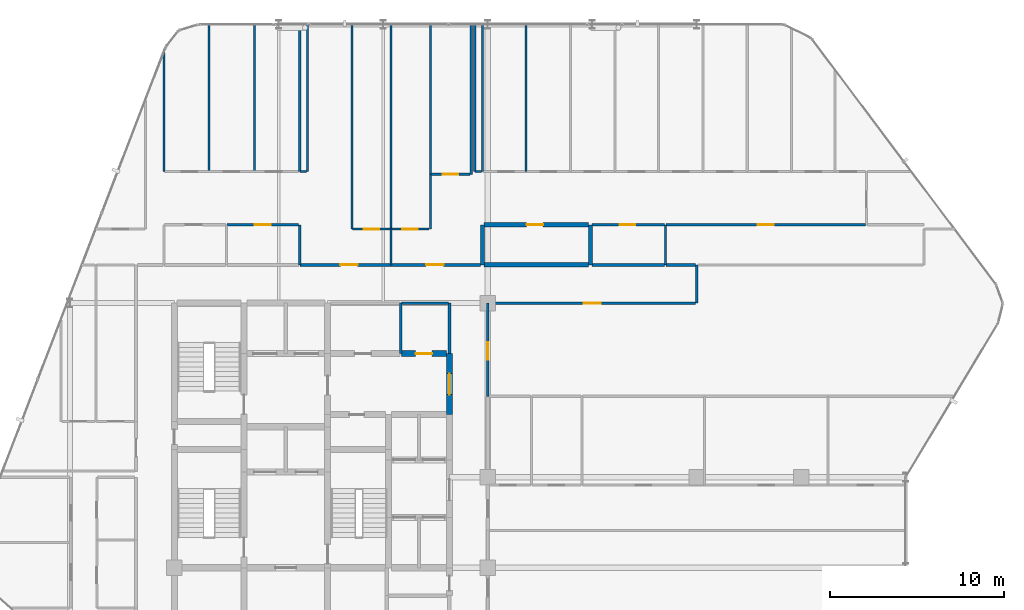
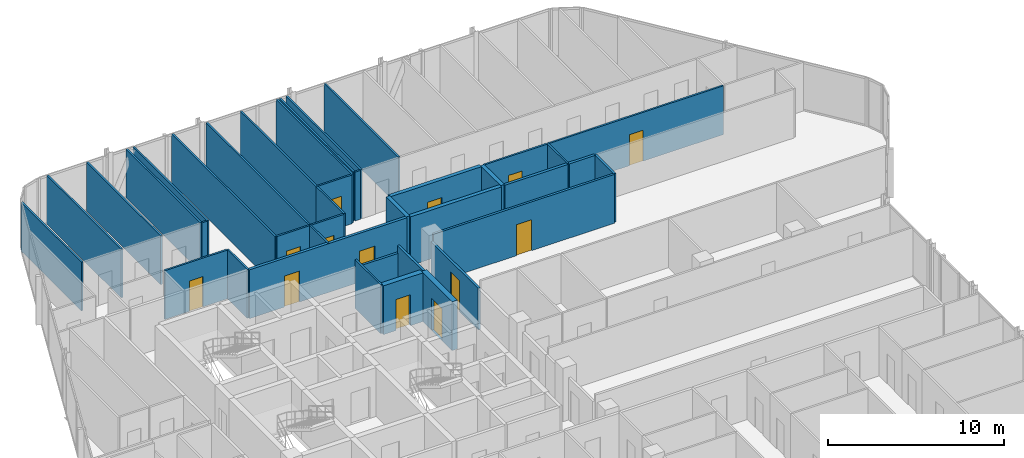
# One storey, part 29 of 31: 38 walls, 13 doors, 13 openings.
"""IFC4 building model written with IfcOpenShell, lengths in metres."""

from ifc_helpers import new_model, si_unit, direction, frame, frame_2d, origin, place, context, subcontext, project, spatial, rectangle, extrude, material, layer, layer_set, type_object, element, fill, save


model = new_model("IFC4")

# Units and contexts
model_context = context("Model", 3, precision=1e-05, world=origin(), true_north=direction((0.0, 1.0)))
body_context = subcontext(model_context, "Body", "Model", "MODEL_VIEW")
ifc_project = project(units=[si_unit("LENGTHUNIT", "METRE"), si_unit("AREAUNIT", "SQUARE_METRE"), si_unit("VOLUMEUNIT", "CUBIC_METRE"), si_unit("PLANEANGLEUNIT", "RADIAN"), si_unit("MASSUNIT", "GRAM", prefix="KILO")], contexts=[model_context])

# Site, building, storey
site_placement = place(None, origin())
site = spatial("IfcSite", under=ifc_project, at=site_placement, CompositionType="ELEMENT")
building_placement = place(site_placement, origin())
building = spatial("IfcBuilding", under=site, at=building_placement, Name="Keshet Zoharim Tower", CompositionType="ELEMENT")
storey_placement = place(building_placement, frame((0.0, 0.0, 148.300048828125)))
storey = spatial("IfcBuildingStorey", under=building, at=storey_placement, Name="L36", CompositionType="ELEMENT", Elevation=148.300048828125)

# Wall
ifc_material_1 = material(Name="Gypsum Plasterboard", Category="gypsum")
ifc_layer_1 = layer(ifc_material_1, 0.14990234375)
ifc_layer_set_1 = layer_set([ifc_layer_1], Name="Gypsum Plasterboard")
wall_type_1 = type_object("IfcWallType", Name="WL-CLIN-150", PredefinedType="STANDARD", material=ifc_layer_set_1)
wall_1_placement = place(storey_placement, frame((30.800048828125, 35.0, 0.0), z_axis=(0.0, 0.0, 1.0), x_axis=(0.0, 1.0, 0.0)))
element("IfcWall", 1, at=wall_1_placement, inside=storey, type_object=wall_type_1, Name="L36 Interior Wall 065", PredefinedType="STANDARD", context=body_context, shape_type="SweptSolid", body=[
    extrude(rectangle(XDim=2.89990234375, YDim=0.14990234375, at=frame_2d((1.449951171875, 0.0))), origin(), (0.0, 0.0, 1.0), 3.385009765625),
])

# Wall, opening, door
wall_2_placement = place(storey_placement, frame((33.0, 32.5400390625, 0.0), z_axis=(0.0, 0.0, 1.0), x_axis=(0.0, 1.0, 0.0)))
wall_2 = element("IfcWall", 2, at=wall_2_placement, inside=storey, type_object=wall_type_1, Name="L36 Interior Wall 073", PredefinedType="STANDARD", context=body_context, shape_type="SweptSolid", body=[
    extrude(rectangle(XDim=5.35986328125, YDim=0.14990234375, at=frame_2d((2.679931640625, 0.0))), origin(), (0.0, 0.0, 1.0), 2.885009765625),
])
opening_1_placement = place(wall_2_placement, frame((2.10888671875, 0.0, 0.0)))
opening_1 = element("IfcOpeningElement", 3, at=opening_1_placement, cuts=wall_2, Name="Opening D-F310", PredefinedType="OPENING", context=body_context, shape_type="SweptSolid", body=[
    extrude(rectangle(XDim=1.0, YDim=2.14990234375, at=frame_2d((0.5, 1.074951171875))), frame((0.0, 0.0849609375, 0.0), z_axis=(0.0, -1.0, 0.0), x_axis=(1.0, 0.0, 0.0)), (0.0, 0.0, 1.0), 0.169921875),
])
ifc_material_2 = material(Name="Hardwood Timber", Category="wood")
door_type_1 = type_object("IfcDoorType", Name="DR-FD30-100", OperationType="NOTDEFINED", PredefinedType="DOOR", material=ifc_material_2)
door_1_placement = place(opening_1_placement, origin())
door_1 = element("IfcDoor", 4, at=door_1_placement, inside=storey, type_object=door_type_1, Name="L36 North East Residents Services Suite Door 2", OperationType="SINGLE_SWING_RIGHT", OverallHeight=2.14990234375, OverallWidth=1.0, PredefinedType="DOOR", context=body_context, shape_type="SweptSolid", body=[
    extrude(rectangle(XDim=1.0, YDim=2.14990234375, at=frame_2d((0.5, 1.074951171875))), frame((0.0, 0.02490234375, 0.0), z_axis=(0.0, -1.0, 0.0), x_axis=(1.0, 0.0, 0.0)), (0.0, 0.0, 1.0), 0.050048828125),
])
fill(opening_1, door_1)

# Walls
wall_3_placement = place(storey_placement, frame((45.0, 37.89990234375, 0.0), z_axis=(0.0, 0.0, 1.0), x_axis=(0.0, 1.0, 0.0)))
element("IfcWall", 5, at=wall_3_placement, inside=storey, type_object=wall_type_1, Name="L36 Interior Wall 091", PredefinedType="STANDARD", context=body_context, shape_type="SweptSolid", body=[
    extrude(rectangle(XDim=2.2001953125, YDim=0.14990234375, at=frame_2d((1.10009765625, 0.0))), origin(), (0.0, 0.0, 1.0), 3.385009765625),
])
wall_4_placement = place(storey_placement, frame((28.044921875, 37.89990234375, 0.0), z_axis=(0.0, 0.0, 1.0), x_axis=(1.0, 0.0, 0.0)))
element("IfcWall", 6, at=wall_4_placement, inside=storey, type_object=wall_type_1, Name="L36 Interior Wall 175", PredefinedType="STANDARD", context=body_context, shape_type="SweptSolid", body=[
    extrude(rectangle(XDim=2.695068359375, YDim=0.14990234375, at=frame_2d((1.34765625, 0.0))), origin(), (0.0, 0.0, 1.0), 2.885009765625),
])

# Wall, opening, door
wall_5_placement = place(storey_placement, frame((33.06005859375, 37.89990234375, 0.0), z_axis=(0.0, 0.0, 1.0), x_axis=(1.0, 0.0, 0.0)))
wall_5 = element("IfcWall", 7, at=wall_5_placement, inside=storey, type_object=wall_type_1, Name="L36 Interior Wall 176", PredefinedType="STANDARD", context=body_context, shape_type="SweptSolid", body=[
    extrude(rectangle(XDim=11.87890625, YDim=0.14990234375, at=frame_2d((5.939453125, 0.0))), origin(), (0.0, 0.0, 1.0), 3.385009765625),
])
opening_2_placement = place(wall_5_placement, frame((5.43896484375, 0.0, 0.0)))
opening_2 = element("IfcOpeningElement", 8, at=opening_2_placement, cuts=wall_5, Name="Opening D-F310", PredefinedType="OPENING", context=body_context, shape_type="SweptSolid", body=[
    extrude(rectangle(XDim=1.0, YDim=2.14990234375, at=frame_2d((0.5, 1.074951171875))), frame((0.0, 0.0849609375, 0.0), z_axis=(0.0, -1.0, 0.0), x_axis=(1.0, 0.0, 0.0)), (0.0, 0.0, 1.0), 0.169921875),
])
door_2_placement = place(opening_2_placement, origin())
door_2 = element("IfcDoor", 9, at=door_2_placement, inside=storey, type_object=door_type_1, Name="L36 North East Residents Services Suite Door 1", OperationType="SINGLE_SWING_LEFT", OverallHeight=2.14990234375, OverallWidth=1.0, PredefinedType="DOOR", context=body_context, shape_type="SweptSolid", body=[
    extrude(rectangle(XDim=1.0, YDim=2.14990234375, at=frame_2d((0.5, 1.074951171875))), frame((0.0, 0.02490234375, 0.0), z_axis=(0.0, -1.0, 0.0), x_axis=(1.0, 0.0, 0.0)), (0.0, 0.0, 1.0), 0.050048828125),
])
fill(opening_2, door_2)

ifc_material_3 = material(Name="Concrete C60/75", Category="concrete")
ifc_layer_2 = layer(ifc_material_3, 0.35009765625)
ifc_layer_set_2 = layer_set([ifc_layer_2], Name="Concrete C60/75")
wall_type_2 = type_object("IfcWallType", Name="WL-CORE-350", PredefinedType="SHEAR", material=ifc_layer_set_2)
wall_6_placement = place(storey_placement, frame((30.800048828125, 31.5, 0.0), z_axis=(0.0, 0.0, 1.0), x_axis=(0.0, 1.0, 0.0)))
wall_6 = element("IfcWall", 10, at=wall_6_placement, inside=storey, type_object=wall_type_2, Name="L36 Core Shear Wall 064", PredefinedType="SHEAR", context=body_context, shape_type="SweptSolid", body=[
    extrude(rectangle(XDim=3.5, YDim=0.35009765625, at=frame_2d((1.75, 0.0))), origin(), (0.0, 0.0, 1.0), 3.385009765625),
])
opening_3_placement = place(wall_6_placement, frame((1.14990234375, 0.0, 0.0)))
opening_3 = element("IfcOpeningElement", 11, at=opening_3_placement, cuts=wall_6, Name="Opening D-F612", PredefinedType="OPENING", context=body_context, shape_type="SweptSolid", body=[
    extrude(rectangle(XDim=1.199951171875, YDim=2.199951171875, at=frame_2d((0.60009765625, 1.10009765625))), frame((0.0, 0.18505859375, 0.0), z_axis=(0.0, -1.0, 0.0), x_axis=(1.0, 0.0, 0.0)), (0.0, 0.0, 1.0), 0.3701171875),
])
door_type_2 = type_object("IfcDoorType", Name="DR-FD60-120", OperationType="NOTDEFINED", PredefinedType="DOOR", material=ifc_material_2)
door_3_placement = place(opening_3_placement, origin())
door_3 = element("IfcDoor", 12, at=door_3_placement, inside=storey, type_object=door_type_2, Name="L36 North Lift Lobby East Fire Door", OperationType="SINGLE_SWING_LEFT", OverallHeight=2.199951171875, OverallWidth=1.199951171875, PredefinedType="DOOR", context=body_context, shape_type="SweptSolid", body=[
    extrude(rectangle(XDim=1.199951171875, YDim=2.199951171875, at=frame_2d((0.60009765625, 1.10009765625))), frame((0.0, 0.02490234375, 0.0), z_axis=(0.0, -1.0, 0.0), x_axis=(1.0, 0.0, 0.0)), (0.0, 0.0, 1.0), 0.050048828125),
])
fill(opening_3, door_3)

wall_7_placement = place(storey_placement, frame((28.044921875, 35.0, 0.0), z_axis=(0.0, 0.0, 1.0), x_axis=(1.0, 0.0, 0.0)))
wall_7 = element("IfcWall", 13, at=wall_7_placement, inside=storey, type_object=wall_type_2, Name="L36 Core Shear Wall 171", PredefinedType="SHEAR", context=body_context, shape_type="SweptSolid", body=[
    extrude(rectangle(XDim=2.594970703125, YDim=0.35009765625, at=frame_2d((1.29736328125, 0.0))), origin(), (0.0, 0.0, 1.0), 3.385009765625),
])
opening_4_placement = place(wall_7_placement, frame((0.805908203125, 0.0, 0.0)))
opening_4 = element("IfcOpeningElement", 14, at=opening_4_placement, cuts=wall_7, Name="Opening D-F695", PredefinedType="OPENING", context=body_context, shape_type="SweptSolid", body=[
    extrude(rectangle(XDim=0.949951171875, YDim=2.14990234375, at=frame_2d((0.47509765625, 1.074951171875))), frame((0.0, 0.18505859375, 0.0), z_axis=(0.0, -1.0, 0.0), x_axis=(1.0, 0.0, 0.0)), (0.0, 0.0, 1.0), 0.3701171875),
])
door_type_3 = type_object("IfcDoorType", Name="DR-FD60-095", OperationType="NOTDEFINED", PredefinedType="DOOR", material=ifc_material_2)
door_4_placement = place(opening_4_placement, frame((0.949951171875, 0.0, 0.0), z_axis=(0.0, 0.0, 1.0), x_axis=(-1.0, 0.0, 0.0)))
door_4 = element("IfcDoor", 15, at=door_4_placement, inside=storey, type_object=door_type_3, Name="L36 Quiet Study Room Door", OperationType="SINGLE_SWING_RIGHT", OverallHeight=2.14990234375, OverallWidth=0.949951171875, PredefinedType="DOOR", context=body_context, shape_type="SweptSolid", body=[
    extrude(rectangle(XDim=0.949951171875, YDim=2.14990234375, at=frame_2d((0.47509765625, 1.074951171875))), frame((0.0, 0.02490234375, 0.0), z_axis=(0.0, -1.0, 0.0), x_axis=(1.0, 0.0, 0.0)), (0.0, 0.0, 1.0), 0.050048828125),
])
fill(opening_4, door_4)

# Wall, openings, doors
ifc_layer_3 = layer(ifc_material_1, 0.179931640625)
ifc_layer_set_3 = layer_set([ifc_layer_3], Name="Gypsum Plasterboard")
wall_type_3 = type_object("IfcWallType", Name="WL-CORR-180", PredefinedType="STANDARD", material=ifc_layer_set_3)
wall_8_placement = place(storey_placement, frame((22.22509765625, 40.10009765625, 0.0), z_axis=(0.0, 0.0, 1.0), x_axis=(1.0, 0.0, 0.0)))
wall_8 = element("IfcWall", 16, at=wall_8_placement, inside=storey, type_object=wall_type_3, Name="L36 Interior Wall 182", PredefinedType="STANDARD", context=body_context, shape_type="SweptSolid", body=[
    extrude(rectangle(XDim=10.344970703125, YDim=0.179931640625, at=frame_2d((5.17236328125, 0.0))), origin(), (0.0, 0.0, 1.0), 3.385009765625),
])
opening_5_placement = place(wall_8_placement, frame((2.304931640625, 0.0, 0.0)))
opening_5 = element("IfcOpeningElement", 17, at=opening_5_placement, cuts=wall_8, Name="Opening D-F310", PredefinedType="OPENING", context=body_context, shape_type="SweptSolid", body=[
    extrude(rectangle(XDim=1.0, YDim=2.14990234375, at=frame_2d((0.5, 1.074951171875))), frame((0.0, 0.10009765625, 0.0), z_axis=(0.0, -1.0, 0.0), x_axis=(1.0, 0.0, 0.0)), (0.0, 0.0, 1.0), 0.199951171875),
])
opening_6_placement = place(wall_8_placement, frame((7.235107421875, 0.0, 0.0)))
opening_6 = element("IfcOpeningElement", 18, at=opening_6_placement, cuts=wall_8, Name="Opening D-F310", PredefinedType="OPENING", context=body_context, shape_type="SweptSolid", body=[
    extrude(rectangle(XDim=1.0, YDim=2.14990234375, at=frame_2d((0.5, 1.074951171875))), frame((0.0, 0.10009765625, 0.0), z_axis=(0.0, -1.0, 0.0), x_axis=(1.0, 0.0, 0.0)), (0.0, 0.0, 1.0), 0.199951171875),
])
door_5_placement = place(opening_5_placement, origin())
door_5 = element("IfcDoor", 19, at=door_5_placement, inside=storey, type_object=door_type_1, Name="Apartment 3605 Entrance Door", OperationType="SINGLE_SWING_RIGHT", OverallHeight=2.14990234375, OverallWidth=1.0, PredefinedType="DOOR", context=body_context, shape_type="SweptSolid", body=[
    extrude(rectangle(XDim=1.0, YDim=2.14990234375, at=frame_2d((0.5, 1.074951171875))), frame((0.0, 0.02490234375, 0.0), z_axis=(0.0, -1.0, 0.0), x_axis=(1.0, 0.0, 0.0)), (0.0, 0.0, 1.0), 0.050048828125),
])
fill(opening_5, door_5)
door_6_placement = place(opening_6_placement, origin())
door_6 = element("IfcDoor", 20, at=door_6_placement, inside=storey, type_object=door_type_1, Name="Apartment 3606 Entrance Door", OperationType="SINGLE_SWING_LEFT", OverallHeight=2.14990234375, OverallWidth=1.0, PredefinedType="DOOR", context=body_context, shape_type="SweptSolid", body=[
    extrude(rectangle(XDim=1.0, YDim=2.14990234375, at=frame_2d((0.5, 1.074951171875))), frame((0.0, 0.02490234375, 0.0), z_axis=(0.0, -1.0, 0.0), x_axis=(1.0, 0.0, 0.0)), (0.0, 0.0, 1.0), 0.050048828125),
])
fill(opening_6, door_6)

# Walls
wall_9_placement = place(storey_placement, frame((38.989990234375, 40.10009765625, 0.0), z_axis=(0.0, 0.0, 1.0), x_axis=(1.0, 0.0, 0.0)))
element("IfcWall", 21, at=wall_9_placement, inside=storey, type_object=wall_type_3, Name="L36 Interior Wall 184", PredefinedType="STANDARD", context=body_context, shape_type="SweptSolid", body=[
    extrude(rectangle(XDim=4.14501953125, YDim=0.179931640625, at=frame_2d((2.072509765625, 0.0))), origin(), (0.0, 0.0, 1.0), 3.385009765625),
])
wall_10_placement = place(storey_placement, frame((43.22509765625, 40.10009765625, 0.0), z_axis=(0.0, 0.0, 1.0), x_axis=(1.0, 0.0, 0.0)))
element("IfcWall", 22, at=wall_10_placement, inside=storey, type_object=wall_type_3, Name="L36 Interior Wall 185", PredefinedType="STANDARD", context=body_context, shape_type="SweptSolid", body=[
    extrude(rectangle(XDim=1.71484375, YDim=0.179931640625, at=frame_2d((0.857421875, 0.0))), origin(), (0.0, 0.0, 1.0), 3.385009765625),
])
ifc_material_4 = material(Name="Concrete C50/60", Category="concrete")
ifc_layer_4 = layer(ifc_material_4, 0.25)
ifc_layer_set_4 = layer_set([ifc_layer_4], Name="Concrete C50/60")
wall_type_4 = type_object("IfcWallType", Name="WL-MAMAD-250", PredefinedType="STANDARD", material=ifc_layer_set_4)
for number, where, z_axis, x_axis, name in (
    (23, (32.699951171875, 40.10009765625, 0.0), (0.0, 0.0, 1.0), (0.0, 1.0, 0.0), "L36 Interior Wall 068"),
    (24, (38.89990234375, 40.10009765625, 0.0), (0.0, 0.0, 1.0), (0.0, 1.0, 0.0), "L36 Interior Wall 084"),
):
    element("IfcWall", number, at=place(storey_placement, frame(where, z_axis=z_axis, x_axis=x_axis)), inside=storey, type_object=wall_type_4, Name=name, PredefinedType="STANDARD", context=body_context, shape_type="SweptSolid", body=[
        extrude(rectangle(XDim=2.2998046875, YDim=0.25, at=frame_2d((1.14990234375, 0.0))), origin(), (0.0, 0.0, 1.0), 3.385009765625),
    ])
wall_11_placement = place(storey_placement, frame((32.7900390625, 40.10009765625, 0.0), z_axis=(0.0, 0.0, 1.0), x_axis=(1.0, 0.0, 0.0)))
element("IfcWall", 25, at=wall_11_placement, inside=storey, type_object=wall_type_4, Name="L36 Interior Wall 183", PredefinedType="STANDARD", context=body_context, shape_type="SweptSolid", body=[
    extrude(rectangle(XDim=5.97998046875, YDim=0.25, at=frame_2d((2.989990234375, 0.0))), origin(), (0.0, 0.0, 1.0), 3.385009765625),
])

# Wall, opening, door
wall_12_placement = place(storey_placement, frame((32.7900390625, 42.39990234375, 0.0), z_axis=(0.0, 0.0, 1.0), x_axis=(1.0, 0.0, 0.0)))
wall_12 = element("IfcWall", 26, at=wall_12_placement, inside=storey, type_object=wall_type_4, Name="L36 Interior Wall 192", PredefinedType="STANDARD", context=body_context, shape_type="SweptSolid", body=[
    extrude(rectangle(XDim=5.97998046875, YDim=0.25, at=frame_2d((2.989990234375, 0.0))), origin(), (0.0, 0.0, 1.0), 3.385009765625),
])
opening_7_placement = place(wall_12_placement, frame((2.443115234375, 0.0, 0.0)))
opening_7 = element("IfcOpeningElement", 27, at=opening_7_placement, cuts=wall_12, Name="Opening D-F695", PredefinedType="OPENING", context=body_context, shape_type="SweptSolid", body=[
    extrude(rectangle(XDim=0.949951171875, YDim=2.14990234375, at=frame_2d((0.47509765625, 1.074951171875))), frame((0.0, 0.135009765625, 0.0), z_axis=(0.0, -1.0, 0.0), x_axis=(1.0, 0.0, 0.0)), (0.0, 0.0, 1.0), 0.27001953125),
])
door_7_placement = place(opening_7_placement, origin())
door_7 = element("IfcDoor", 28, at=door_7_placement, inside=storey, type_object=door_type_3, Name="Apartment 3606 Study and Shelter Room Door", OperationType="SINGLE_SWING_LEFT", OverallHeight=2.14990234375, OverallWidth=0.949951171875, PredefinedType="DOOR", context=body_context, shape_type="SweptSolid", body=[
    extrude(rectangle(XDim=0.949951171875, YDim=2.14990234375, at=frame_2d((0.47509765625, 1.074951171875))), frame((0.0, 0.02490234375, 0.0), z_axis=(0.0, -1.0, 0.0), x_axis=(1.0, 0.0, 0.0)), (0.0, 0.0, 1.0), 0.050048828125),
])
fill(opening_7, door_7)

# Walls
ifc_layer_5 = layer(ifc_material_1, 0.1201171875)
ifc_layer_set_5 = layer_set([ifc_layer_5], Name="Gypsum Plasterboard")
wall_type_5 = type_object("IfcWallType", Name="WL-PART-120", PredefinedType="PARTITIONING", material=ifc_layer_set_5)
wall_13_placement = place(storey_placement, frame((14.39990234375, 45.449951171875, 0.0), z_axis=(0.0, 0.0, 1.0), x_axis=(0.0, 1.0, 0.0)))
element("IfcWall", 29, at=wall_13_placement, inside=storey, type_object=wall_type_5, Name="L36 Interior Wall 013", PredefinedType="PARTITIONING", context=body_context, shape_type="SweptSolid", body=[
    extrude(rectangle(XDim=6.880126953125, YDim=0.1201171875, at=frame_2d((3.43994140625, 0.0))), origin(), (0.0, 0.0, 1.0), 3.385009765625),
])
for number, where, z_axis, x_axis, name in (
    (30, (17.0, 45.449951171875, 0.0), (0.0, 0.0, 1.0), (0.0, 1.0, 0.0), "L36 Interior Wall 020"),
    (31, (19.60009765625, 45.449951171875, 0.0), (0.0, 0.0, 1.0), (0.0, 1.0, 0.0), "L36 Interior Wall 029"),
    (32, (22.199951171875, 45.449951171875, 0.0), (0.0, 0.0, 1.0), (0.0, 1.0, 0.0), "L36 Interior Wall 034"),
    (33, (22.64990234375, 45.449951171875, 0.0), (0.0, 0.0, 1.0), (0.0, 1.0, 0.0), "L36 Interior Wall 035"),
):
    element("IfcWall", number, at=place(storey_placement, frame(where, z_axis=z_axis, x_axis=x_axis)), inside=storey, type_object=wall_type_5, Name=name, PredefinedType="PARTITIONING", context=body_context, shape_type="SweptSolid", body=[
        extrude(rectangle(XDim=8.43994140625, YDim=0.1201171875, at=frame_2d((4.219970703125, 0.0))), origin(), (0.0, 0.0, 1.0), 3.385009765625),
    ])
wall_14_placement = place(storey_placement, frame((25.199951171875, 42.14990234375, 0.0), z_axis=(0.0, 0.0, 1.0), x_axis=(0.0, 1.0, 0.0)))
element("IfcWall", 34, at=wall_14_placement, inside=storey, type_object=wall_type_5, Name="L36 Interior Wall 043", PredefinedType="PARTITIONING", context=body_context, shape_type="SweptSolid", body=[
    extrude(rectangle(XDim=11.739990234375, YDim=0.1201171875, at=frame_2d((5.8701171875, 0.0))), origin(), (0.0, 0.0, 1.0), 3.385009765625),
])
wall_15_placement = place(storey_placement, frame((27.449951171875, 40.10009765625, 0.0), z_axis=(0.0, 0.0, 1.0), x_axis=(0.0, 1.0, 0.0)))
element("IfcWall", 35, at=wall_15_placement, inside=storey, type_object=wall_type_5, Name="L36 Interior Wall 051", PredefinedType="PARTITIONING", context=body_context, shape_type="SweptSolid", body=[
    extrude(rectangle(XDim=2.0498046875, YDim=0.1201171875, at=frame_2d((1.02490234375, 0.0))), origin(), (0.0, 0.0, 1.0), 3.385009765625),
])
wall_16_placement = place(storey_placement, frame((27.449951171875, 42.14990234375, 0.0), z_axis=(0.0, 0.0, 1.0), x_axis=(0.0, 1.0, 0.0)))
element("IfcWall", 36, at=wall_16_placement, inside=storey, type_object=wall_type_5, Name="L36 Interior Wall 052", PredefinedType="PARTITIONING", context=body_context, shape_type="SweptSolid", body=[
    extrude(rectangle(XDim=11.739990234375, YDim=0.1201171875, at=frame_2d((5.8701171875, 0.0))), origin(), (0.0, 0.0, 1.0), 3.385009765625),
])
wall_17_placement = place(storey_placement, frame((28.0, 35.0, 0.0), z_axis=(0.0, 0.0, 1.0), x_axis=(0.0, 1.0, 0.0)))
element("IfcWall", 37, at=wall_17_placement, inside=storey, type_object=wall_type_5, Name="L36 Interior Wall 053", PredefinedType="PARTITIONING", context=body_context, shape_type="SweptSolid", body=[
    extrude(rectangle(XDim=2.89990234375, YDim=0.1201171875, at=frame_2d((1.449951171875, 0.0))), origin(), (0.0, 0.0, 1.0), 3.385009765625),
])
wall_18_placement = place(storey_placement, frame((29.699951171875, 42.14990234375, 0.0), z_axis=(0.0, 0.0, 1.0), x_axis=(0.0, 1.0, 0.0)))
element("IfcWall", 38, at=wall_18_placement, inside=storey, type_object=wall_type_5, Name="L36 Interior Wall 056", PredefinedType="PARTITIONING", context=body_context, shape_type="SweptSolid", body=[
    extrude(rectangle(XDim=3.150146484375, YDim=0.1201171875, at=frame_2d((1.5751953125, 0.0))), origin(), (0.0, 0.0, 1.0), 3.385009765625),
])
for number, where, z_axis, x_axis, name in (
    (39, (29.699951171875, 45.300048828125, 0.0), (0.0, 0.0, 1.0), (0.0, 1.0, 0.0), "L36 Interior Wall 057"),
    (40, (32.050048828125, 45.300048828125, 0.0), (0.0, 0.0, 1.0), (0.0, 1.0, 0.0), "L36 Interior Wall 066"),
):
    element("IfcWall", number, at=place(storey_placement, frame(where, z_axis=z_axis, x_axis=x_axis)), inside=storey, type_object=wall_type_5, Name=name, PredefinedType="PARTITIONING", context=body_context, shape_type="SweptSolid", body=[
        extrude(rectangle(XDim=8.58984375, YDim=0.1201171875, at=frame_2d((4.294921875, 0.0))), origin(), (0.0, 0.0, 1.0), 3.385009765625),
    ])
for number, where, z_axis, x_axis, name in (
    (41, (32.25, 45.449951171875, 0.0), (0.0, 0.0, 1.0), (0.0, 1.0, 0.0), "L36 Interior Wall 067"),
    (42, (32.699951171875, 45.449951171875, 0.0), (0.0, 0.0, 1.0), (0.0, 1.0, 0.0), "L36 Interior Wall 069"),
    (43, (35.199951171875, 45.449951171875, 0.0), (0.0, 0.0, 1.0), (0.0, 1.0, 0.0), "L36 Interior Wall 077"),
):
    element("IfcWall", number, at=place(storey_placement, frame(where, z_axis=z_axis, x_axis=x_axis)), inside=storey, type_object=wall_type_5, Name=name, PredefinedType="PARTITIONING", context=body_context, shape_type="SweptSolid", body=[
        extrude(rectangle(XDim=8.43994140625, YDim=0.1201171875, at=frame_2d((4.219970703125, 0.0))), origin(), (0.0, 0.0, 1.0), 3.385009765625),
    ])

# Wall, openings, doors
wall_19_placement = place(storey_placement, frame((25.22509765625, 42.14990234375, 0.0), z_axis=(0.0, 0.0, 1.0), x_axis=(1.0, 0.0, 0.0)))
wall_19 = element("IfcWall", 44, at=wall_19_placement, inside=storey, type_object=wall_type_5, Name="L36 Interior Wall 188", PredefinedType="PARTITIONING", context=body_context, shape_type="SweptSolid", body=[
    extrude(rectangle(XDim=4.409912109375, YDim=0.1201171875, at=frame_2d((2.205078125, 0.0))), origin(), (0.0, 0.0, 1.0), 3.385009765625),
])
opening_8_placement = place(wall_19_placement, frame((0.655029296875, 0.0, 0.0)))
opening_8 = element("IfcOpeningElement", 45, at=opening_8_placement, cuts=wall_19, Name="Opening D-IN90", PredefinedType="OPENING", context=body_context, shape_type="SweptSolid", body=[
    extrude(rectangle(XDim=0.89990234375, YDim=2.14990234375, at=frame_2d((0.449951171875, 1.074951171875))), frame((0.0, 0.070068359375, 0.0), z_axis=(0.0, -1.0, 0.0), x_axis=(1.0, 0.0, 0.0)), (0.0, 0.0, 1.0), 0.14013671875),
])
opening_9_placement = place(wall_19_placement, frame((2.85498046875, 0.0, 0.0)))
opening_9 = element("IfcOpeningElement", 46, at=opening_9_placement, cuts=wall_19, Name="Opening D-IN90", PredefinedType="OPENING", context=body_context, shape_type="SweptSolid", body=[
    extrude(rectangle(XDim=0.89990234375, YDim=2.14990234375, at=frame_2d((0.449951171875, 1.074951171875))), frame((0.0, 0.070068359375, 0.0), z_axis=(0.0, -1.0, 0.0), x_axis=(1.0, 0.0, 0.0)), (0.0, 0.0, 1.0), 0.14013671875),
])
door_type_4 = type_object("IfcDoorType", Name="DR-INT-090", OperationType="NOTDEFINED", PredefinedType="DOOR", material=ifc_material_2)
door_8_placement = place(opening_8_placement, origin())
door_8 = element("IfcDoor", 47, at=door_8_placement, inside=storey, type_object=door_type_4, Name="Apartment 3605 Formal Dining Room Door", OperationType="SINGLE_SWING_LEFT", OverallHeight=2.14990234375, OverallWidth=0.89990234375, PredefinedType="DOOR", context=body_context, shape_type="SweptSolid", body=[
    extrude(rectangle(XDim=0.89990234375, YDim=2.14990234375, at=frame_2d((0.449951171875, 1.074951171875))), frame((0.0, 0.02490234375, 0.0), z_axis=(0.0, -1.0, 0.0), x_axis=(1.0, 0.0, 0.0)), (0.0, 0.0, 1.0), 0.050048828125),
])
fill(opening_8, door_8)
door_9_placement = place(opening_9_placement, origin())
door_9 = element("IfcDoor", 48, at=door_9_placement, inside=storey, type_object=door_type_4, Name="Apartment 3606 Formal Dining Room Door", OperationType="SINGLE_SWING_RIGHT", OverallHeight=2.14990234375, OverallWidth=0.89990234375, PredefinedType="DOOR", context=body_context, shape_type="SweptSolid", body=[
    extrude(rectangle(XDim=0.89990234375, YDim=2.14990234375, at=frame_2d((0.449951171875, 1.074951171875))), frame((0.0, 0.02490234375, 0.0), z_axis=(0.0, -1.0, 0.0), x_axis=(1.0, 0.0, 0.0)), (0.0, 0.0, 1.0), 0.050048828125),
])
fill(opening_9, door_9)

# Wall, opening, door
wall_20_placement = place(storey_placement, frame((43.22509765625, 42.39990234375, 0.0), z_axis=(0.0, 0.0, 1.0), x_axis=(1.0, 0.0, 0.0)))
wall_20 = element("IfcWall", 49, at=wall_20_placement, inside=storey, type_object=wall_type_5, Name="L36 Interior Wall 194", PredefinedType="PARTITIONING", context=body_context, shape_type="SweptSolid", body=[
    extrude(rectangle(XDim=11.47998046875, YDim=0.1201171875, at=frame_2d((5.739990234375, 0.0))), origin(), (0.0, 0.0, 1.0), 3.385009765625),
])
opening_10_placement = place(wall_20_placement, frame((5.2900390625, 0.0, 0.0)))
opening_10 = element("IfcOpeningElement", 50, at=opening_10_placement, cuts=wall_20, Name="Opening D-IN90", PredefinedType="OPENING", context=body_context, shape_type="SweptSolid", body=[
    extrude(rectangle(XDim=0.89990234375, YDim=2.14990234375, at=frame_2d((0.449951171875, 1.074951171875))), frame((0.0, 0.070068359375, 0.0), z_axis=(0.0, -1.0, 0.0), x_axis=(1.0, 0.0, 0.0)), (0.0, 0.0, 1.0), 0.14013671875),
])
door_10_placement = place(opening_10_placement, origin())
door_10 = element("IfcDoor", 51, at=door_10_placement, inside=storey, type_object=door_type_4, Name="Apartment 3606 Kitchen Door", OperationType="SINGLE_SWING_LEFT", OverallHeight=2.14990234375, OverallWidth=0.89990234375, PredefinedType="DOOR", context=body_context, shape_type="SweptSolid", body=[
    extrude(rectangle(XDim=0.89990234375, YDim=2.14990234375, at=frame_2d((0.449951171875, 1.074951171875))), frame((0.0, 0.02490234375, 0.0), z_axis=(0.0, -1.0, 0.0), x_axis=(1.0, 0.0, 0.0)), (0.0, 0.0, 1.0), 0.050048828125),
])
fill(opening_10, door_10)

wall_21_placement = place(storey_placement, frame((29.72509765625, 45.300048828125, 0.0), z_axis=(0.0, 0.0, 1.0), x_axis=(1.0, 0.0, 0.0)))
wall_21 = element("IfcWall", 52, at=wall_21_placement, inside=storey, type_object=wall_type_5, Name="L36 Interior Wall 196", PredefinedType="PARTITIONING", context=body_context, shape_type="SweptSolid", body=[
    extrude(rectangle(XDim=2.260009765625, YDim=0.1201171875, at=frame_2d((1.1298828125, 0.0))), origin(), (0.0, 0.0, 1.0), 3.385009765625),
])
opening_11_placement = place(wall_21_placement, frame((0.679931640625, 0.0, 0.0)))
opening_11 = element("IfcOpeningElement", 53, at=opening_11_placement, cuts=wall_21, Name="Opening D-IN90", PredefinedType="OPENING", context=body_context, shape_type="SweptSolid", body=[
    extrude(rectangle(XDim=0.89990234375, YDim=2.14990234375, at=frame_2d((0.449951171875, 1.074951171875))), frame((0.0, 0.070068359375, 0.0), z_axis=(0.0, -1.0, 0.0), x_axis=(1.0, 0.0, 0.0)), (0.0, 0.0, 1.0), 0.14013671875),
])
door_11_placement = place(opening_11_placement, origin())
door_11 = element("IfcDoor", 54, at=door_11_placement, inside=storey, type_object=door_type_4, Name="Apartment 3606 Home Study Room Door", OperationType="SINGLE_SWING_RIGHT", OverallHeight=2.14990234375, OverallWidth=0.89990234375, PredefinedType="DOOR", context=body_context, shape_type="SweptSolid", body=[
    extrude(rectangle(XDim=0.89990234375, YDim=2.14990234375, at=frame_2d((0.449951171875, 1.074951171875))), frame((0.0, 0.02490234375, 0.0), z_axis=(0.0, -1.0, 0.0), x_axis=(1.0, 0.0, 0.0)), (0.0, 0.0, 1.0), 0.050048828125),
])
fill(opening_11, door_11)

# Walls
wall_22_placement = place(storey_placement, frame((22.22509765625, 45.449951171875, 0.0), z_axis=(0.0, 0.0, 1.0), x_axis=(1.0, 0.0, 0.0)))
element("IfcWall", 55, at=wall_22_placement, inside=storey, type_object=wall_type_5, Name="L36 Interior Wall 198", PredefinedType="PARTITIONING", context=body_context, shape_type="SweptSolid", body=[
    extrude(rectangle(XDim=0.35986328125, YDim=0.1201171875, at=frame_2d((0.179931640625, 0.0))), origin(), (0.0, 0.0, 1.0), 3.385009765625),
])
wall_23_placement = place(storey_placement, frame((32.27490234375, 45.449951171875, 0.0), z_axis=(0.0, 0.0, 1.0), x_axis=(1.0, 0.0, 0.0)))
element("IfcWall", 56, at=wall_23_placement, inside=storey, type_object=wall_type_5, Name="L36 Interior Wall 199", PredefinedType="PARTITIONING", context=body_context, shape_type="SweptSolid", body=[
    extrude(rectangle(XDim=0.360107421875, YDim=0.1201171875, at=frame_2d((0.18017578125, 0.0))), origin(), (0.0, 0.0, 1.0), 3.385009765625),
])
ifc_layer_6 = layer(ifc_material_1, 0.1201171875)
ifc_layer_set_6 = layer_set([ifc_layer_6], Name="Gypsum Plasterboard")
wall_type_6 = type_object("IfcWallType", Name="WL-WET-120", PredefinedType="PARTITIONING", material=ifc_layer_set_6)
for number, where, z_axis, x_axis, name in (
    (57, (22.199951171875, 40.10009765625, 0.0), (0.0, 0.0, 1.0), (0.0, 1.0, 0.0), "L36 Interior Wall 033"),
    (58, (43.199951171875, 40.10009765625, 0.0), (0.0, 0.0, 1.0), (0.0, 1.0, 0.0), "L36 Interior Wall 090"),
):
    element("IfcWall", number, at=place(storey_placement, frame(where, z_axis=z_axis, x_axis=x_axis)), inside=storey, type_object=wall_type_6, Name=name, PredefinedType="PARTITIONING", context=body_context, shape_type="SweptSolid", body=[
        extrude(rectangle(XDim=2.2998046875, YDim=0.1201171875, at=frame_2d((1.14990234375, 0.0))), origin(), (0.0, 0.0, 1.0), 3.385009765625),
    ])

# Wall, opening, door
wall_24_placement = place(storey_placement, frame((18.02392578125, 42.39990234375, 0.0), z_axis=(0.0, 0.0, 1.0), x_axis=(1.0, 0.0, 0.0)))
wall_24 = element("IfcWall", 59, at=wall_24_placement, inside=storey, type_object=wall_type_6, Name="L36 Interior Wall 191", PredefinedType="PARTITIONING", context=body_context, shape_type="SweptSolid", body=[
    extrude(rectangle(XDim=4.111083984375, YDim=0.1201171875, at=frame_2d((2.0556640625, 0.0))), origin(), (0.0, 0.0, 1.0), 3.385009765625),
])
opening_12_placement = place(wall_24_placement, frame((1.60498046875, 0.0, 0.0)))
opening_12 = element("IfcOpeningElement", 60, at=opening_12_placement, cuts=wall_24, Name="Opening D-WT90", PredefinedType="OPENING", context=body_context, shape_type="SweptSolid", body=[
    extrude(rectangle(XDim=0.89990234375, YDim=2.10009765625, at=frame_2d((0.449951171875, 1.050048828125))), frame((0.0, 0.070068359375, 0.0), z_axis=(0.0, -1.0, 0.0), x_axis=(1.0, 0.0, 0.0)), (0.0, 0.0, 1.0), 0.14013671875),
])
door_type_5 = type_object("IfcDoorType", Name="DR-WET-090", OperationType="NOTDEFINED", PredefinedType="DOOR", material=ifc_material_2)
door_12_placement = place(opening_12_placement, origin())
door_12 = element("IfcDoor", 61, at=door_12_placement, inside=storey, type_object=door_type_5, Name="Apartment 3605 Bathroom Door", OperationType="SINGLE_SWING_RIGHT", OverallHeight=2.10009765625, OverallWidth=0.89990234375, PredefinedType="DOOR", context=body_context, shape_type="SweptSolid", body=[
    extrude(rectangle(XDim=0.89990234375, YDim=2.10009765625, at=frame_2d((0.449951171875, 1.050048828125))), frame((0.0, 0.02490234375, 0.0), z_axis=(0.0, -1.0, 0.0), x_axis=(1.0, 0.0, 0.0)), (0.0, 0.0, 1.0), 0.050048828125),
])
fill(opening_12, door_12)

wall_25_placement = place(storey_placement, frame((38.989990234375, 42.39990234375, 0.0), z_axis=(0.0, 0.0, 1.0), x_axis=(1.0, 0.0, 0.0)))
wall_25 = element("IfcWall", 62, at=wall_25_placement, inside=storey, type_object=wall_type_6, Name="L36 Interior Wall 193", PredefinedType="PARTITIONING", context=body_context, shape_type="SweptSolid", body=[
    extrude(rectangle(XDim=4.14501953125, YDim=0.1201171875, at=frame_2d((2.072509765625, 0.0))), origin(), (0.0, 0.0, 1.0), 3.385009765625),
])
opening_13_placement = place(wall_25_placement, frame((1.590087890625, 0.0, 0.0)))
opening_13 = element("IfcOpeningElement", 63, at=opening_13_placement, cuts=wall_25, Name="Opening D-WT90", PredefinedType="OPENING", context=body_context, shape_type="SweptSolid", body=[
    extrude(rectangle(XDim=0.89990234375, YDim=2.10009765625, at=frame_2d((0.449951171875, 1.050048828125))), frame((0.0, 0.070068359375, 0.0), z_axis=(0.0, -1.0, 0.0), x_axis=(1.0, 0.0, 0.0)), (0.0, 0.0, 1.0), 0.14013671875),
])
door_13_placement = place(opening_13_placement, origin())
door_13 = element("IfcDoor", 64, at=door_13_placement, inside=storey, type_object=door_type_5, Name="Apartment 3606 Bathroom Door", OperationType="SINGLE_SWING_RIGHT", OverallHeight=2.10009765625, OverallWidth=0.89990234375, PredefinedType="DOOR", context=body_context, shape_type="SweptSolid", body=[
    extrude(rectangle(XDim=0.89990234375, YDim=2.10009765625, at=frame_2d((0.449951171875, 1.050048828125))), frame((0.0, 0.02490234375, 0.0), z_axis=(0.0, -1.0, 0.0), x_axis=(1.0, 0.0, 0.0)), (0.0, 0.0, 1.0), 0.050048828125),
])
fill(opening_13, door_13)

save(model, "model.ifc")
